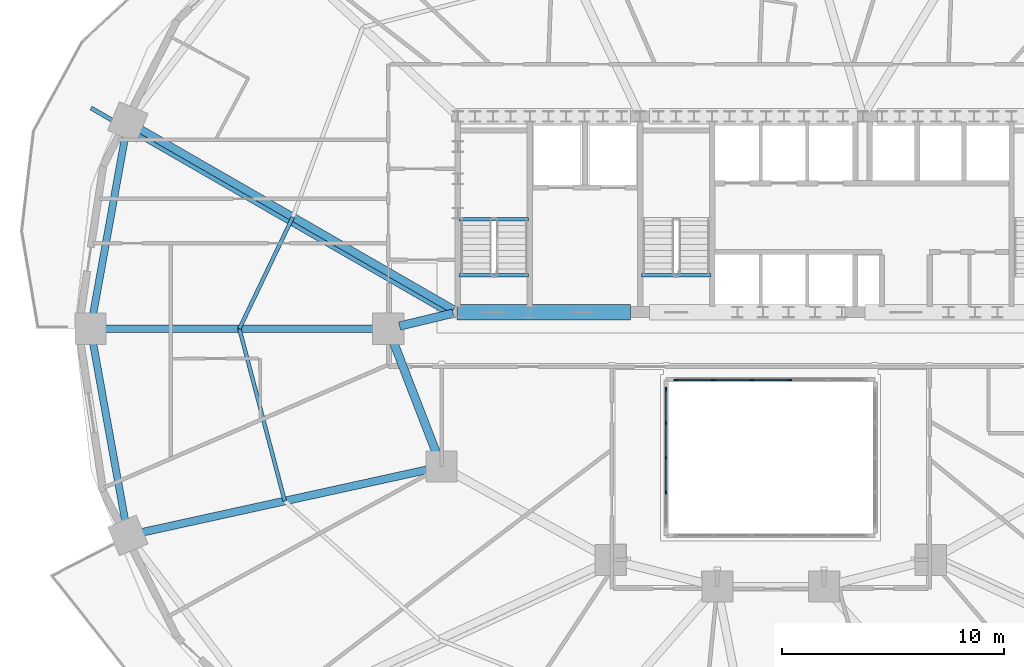
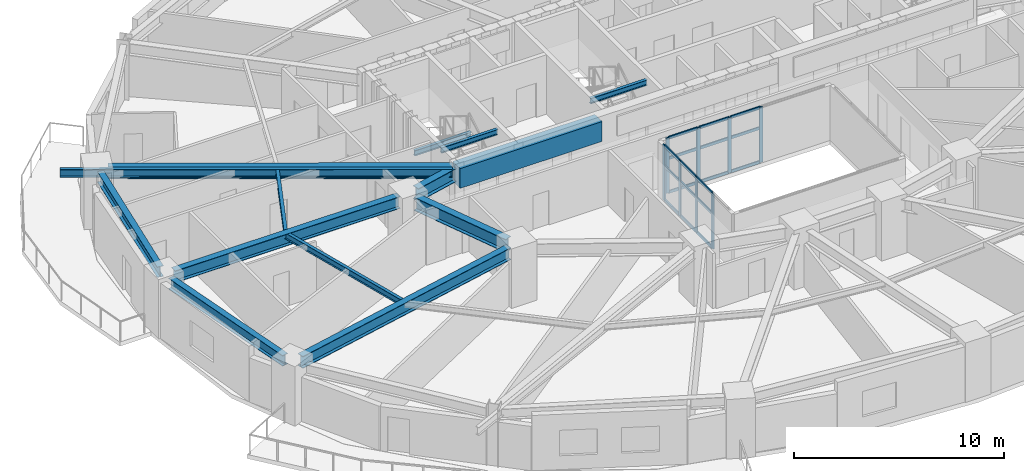
# One storey, part 4 of 17: 26 members, 14 beams, 2 elements without a shape of their own.
"""IFC4 building model written with IfcOpenShell, lengths in metres."""

import ifcopenshell
import ifcopenshell.guid

model = None  # the IFC model being written
_history = None  # IfcOwnerHistory: only IFC2X3 demands one
_inside = {}  # id of a spatial element -> (the spatial element, [elements in it])
_under = {}  # id of a project, library or spatial element -> (it, [spatial elements below it])
_declared = {}  # id of a project -> (the project, [libraries it declares])
_typed = {}  # id of a type object -> (the type object, [elements of that type])
_made_of = {}  # id of a material, layer set ... -> (it, [elements and type objects made of it])


def new_model(schema):
    """Start an empty IFC model of exactly this schema.

    Asked for "IFC4X3", IfcOpenShell would pick the latest addendum, in which some entities
    have other attributes; the version numbers below select the first issue.
    IFC2X3 requires an IfcOwnerHistory on every rooted entity: one is made here for all.
    """
    global model, _history
    if schema == "IFC4X3":
        model = ifcopenshell.file(schema_version=(4, 3, 0, 0))
    else:
        model = ifcopenshell.file(schema=schema)
    _inside.clear()
    _under.clear()
    _declared.clear()
    _typed.clear()
    _made_of.clear()
    _history = None
    if model.schema == "IFC2X3":
        org = make("IfcOrganization", Name="unknown")
        user = make(
            "IfcPersonAndOrganization",
            ThePerson=make("IfcPerson", FamilyName="unknown"),
            TheOrganization=org,
        )
        app = make(
            "IfcApplication",
            ApplicationDeveloper=org,
            Version="unknown",
            ApplicationFullName="unknown",
            ApplicationIdentifier="unknown",
        )
        _history = make(
            "IfcOwnerHistory",
            OwningUser=user,
            OwningApplication=app,
            ChangeAction="ADDED",
            CreationDate=0,
        )
    return model


def make(cls, **values):
    """One entity of the class cls with the attributes given. An attribute that is None is left unset."""
    return model.create_entity(
        cls, **{name: value for name, value in values.items() if value is not None}
    )


def rooted(cls, **values):
    """An entity with a GlobalId (a new one), such as an element, a storey or a relation."""
    return make(cls, GlobalId=ifcopenshell.guid.new(), OwnerHistory=_history, **values)


def si_unit(unit_type, name, prefix=None):
    """IfcSIUnit, for example si_unit("LENGTHUNIT", "METRE", prefix="MILLI")."""
    return make("IfcSIUnit", UnitType=unit_type, Prefix=prefix, Name=name)


def assignment(units):
    """IfcUnitAssignment: the units of a project."""
    return None if units is None else make("IfcUnitAssignment", Units=units)


def point(xyz):
    """IfcCartesianPoint."""
    return None if xyz is None else make("IfcCartesianPoint", Coordinates=xyz)


def direction(xyz):
    """IfcDirection."""
    return None if xyz is None else make("IfcDirection", DirectionRatios=xyz)


def frame(location, z_axis=None, x_axis=None):
    """IfcAxis2Placement3D, a coordinate frame: its origin and axes. An axis left out is left unset."""
    return make(
        "IfcAxis2Placement3D",
        Location=point(location),
        Axis=direction(z_axis),
        RefDirection=direction(x_axis),
    )


def frame_2d(location, x_axis=None):
    """IfcAxis2Placement2D, a coordinate frame in the plane: its origin and x axis."""
    return make(
        "IfcAxis2Placement2D", Location=point(location), RefDirection=direction(x_axis)
    )


def origin():
    """The frame at (0, 0, 0) with its axes left unset."""
    return frame((0.0, 0.0, 0.0))


def origin_2d():
    """The frame at (0, 0) in the plane with its x axis left unset."""
    return frame_2d((0.0, 0.0))


def place(relative_to, where):
    """IfcLocalPlacement: puts the frame where relative to a parent placement (None: the world)."""
    return make(
        "IfcLocalPlacement", PlacementRelTo=relative_to, RelativePlacement=where
    )


def context(
    kind, dimensions, precision=None, world=None, true_north=None, identifier=None
):
    """IfcGeometricRepresentationContext, for example the 3D "Model" context."""
    return make(
        "IfcGeometricRepresentationContext",
        ContextIdentifier=identifier,
        ContextType=kind,
        CoordinateSpaceDimension=dimensions,
        Precision=precision,
        WorldCoordinateSystem=world,
        TrueNorth=true_north,
    )


def subcontext(parent, identifier, kind, view, scale=None):
    """IfcGeometricRepresentationSubContext, for example "Body" below "Model"."""
    return make(
        "IfcGeometricRepresentationSubContext",
        ContextIdentifier=identifier,
        ContextType=kind,
        ParentContext=parent,
        TargetScale=scale,
        TargetView=view,
    )


def project(units=None, contexts=None):
    """IfcProject with its units and contexts."""
    return rooted(
        "IfcProject",
        Name="project",
        RepresentationContexts=contexts,
        UnitsInContext=assignment(units),
    )


def spatial(cls, under=None, at=None, **own):
    """A site, building, storey or space (cls), placed at a placement, below another one or the project."""
    s = rooted(cls, ObjectPlacement=at, **own)
    if under is not None:
        _under.setdefault(under.id(), (under, []))[1].append(s)
    return s


def profile(cls, at=None, kind="AREA", **sizes):
    """A parametric profile (cls). Its sizes go by their IFC names, for example OverallWidth=200.0."""
    return make(cls, ProfileType=kind, Position=at, **sizes)


def rectangle(**sizes):
    """IfcRectangleProfileDef."""
    return profile("IfcRectangleProfileDef", **sizes)


def i_section(**sizes):
    """IfcIShapeProfileDef."""
    return profile("IfcIShapeProfileDef", **sizes)


def extrude(swept, where, along, depth):
    """IfcExtrudedAreaSolid: the profile swept, set in the frame where, extruded along a direction by depth."""
    return make(
        "IfcExtrudedAreaSolid",
        SweptArea=swept,
        Position=where,
        ExtrudedDirection=direction(along),
        Depth=depth,
    )


def shape(context_of_items, identifier, shape_type, items):
    """IfcShapeRepresentation: the items that make up one representation, for example the "Body"."""
    return make(
        "IfcShapeRepresentation",
        ContextOfItems=context_of_items,
        RepresentationIdentifier=identifier,
        RepresentationType=shape_type,
        Items=items,
    )


def material(Name=None, Category=None):
    """IfcMaterial."""
    return make("IfcMaterial", Name=Name, Category=Category)


def material_profile(
    of_material, cross_section, Name=None, Category=None, Priority=None
):
    """IfcMaterialProfile: a cross section and its material."""
    return make(
        "IfcMaterialProfile",
        Name=Name,
        Material=of_material,
        Profile=cross_section,
        Priority=Priority,
        Category=Category,
    )


def profile_set(profiles, Name=None, composite=None):
    """IfcMaterialProfileSet."""
    return make(
        "IfcMaterialProfileSet",
        Name=Name,
        MaterialProfiles=profiles,
        CompositeProfile=composite,
    )


def made_of(thing, what):
    """Note that an element or type object is made of a material, layer set ...; save() writes the relation."""
    if what is not None:
        _made_of.setdefault(what.id(), (what, []))[1].append(thing)
    return thing


def type_object(cls, material=None, **own):
    """A type object (cls), such as IfcWallType, which elements share."""
    return made_of(rooted(cls, **own), material)


def element(
    cls,
    number,
    at=None,
    inside=None,
    cuts=None,
    type_object=None,
    material=None,
    context=None,
    identifier="Body",
    shape_type=None,
    held_by="IfcProductDefinitionShape",
    body=None,
    shapes=None,
    **own,
):
    """One element of the class cls, such as IfcWall. Its Tag is "e" and its number.

    at: its placement. inside: the storey or other place that contains it. cuts: it is an
    opening in that element (IfcRelVoidsElement). A single representation is given by context,
    identifier, shape_type and body (its items); several are given by shapes. held_by: the class
    of the entity that holds the representations. save() writes the other relations.
    """
    e = rooted(cls, Tag="e%d" % number, ObjectPlacement=at, **own)
    if body is not None:
        shapes = [shape(context, identifier, shape_type, body)]
    if shapes is not None:
        e.Representation = make(held_by, Representations=shapes)
    if inside is not None:
        _inside.setdefault(inside.id(), (inside, []))[1].append(e)
    if cuts is not None:
        rooted(
            "IfcRelVoidsElement", RelatingBuildingElement=cuts, RelatedOpeningElement=e
        )
    if type_object is not None:
        _typed.setdefault(type_object.id(), (type_object, []))[1].append(e)
    return made_of(e, material)


def aggregate(whole, parts):
    """IfcRelAggregates: a whole, such as a stair, and the parts it consists of."""
    return rooted("IfcRelAggregates", RelatingObject=whole, RelatedObjects=parts)


def save(model, path):
    """Write the relations noted so far, then the file.

    IfcRelAggregates (storeys below a building ...), IfcRelContainedInSpatialStructure (elements
    in a storey), IfcRelDefinesByType, IfcRelAssociatesMaterial and IfcRelDeclares: one each for
    every whole, place, type object, material and project.
    """
    for whole, parts in _under.values():
        aggregate(whole, parts)
    for where, things in _inside.values():
        rooted(
            "IfcRelContainedInSpatialStructure",
            RelatedElements=things,
            RelatingStructure=where,
        )
    for kind, things in _typed.values():
        rooted("IfcRelDefinesByType", RelatedObjects=things, RelatingType=kind)
    for what, things in _made_of.values():
        rooted("IfcRelAssociatesMaterial", RelatedObjects=things, RelatingMaterial=what)
    for by, libraries in _declared.values():
        rooted("IfcRelDeclares", RelatingContext=by, RelatedDefinitions=libraries)
    model.write(path)


model = new_model("IFC4")

# Units and contexts
model_context = context("Model", 3, precision=1e-05, world=origin(), true_north=direction((0.0, 1.0)))
body_context = subcontext(model_context, "Body", "Model", "MODEL_VIEW")
ifc_project = project(units=[si_unit("LENGTHUNIT", "METRE"), si_unit("AREAUNIT", "SQUARE_METRE"), si_unit("VOLUMEUNIT", "CUBIC_METRE"), si_unit("PLANEANGLEUNIT", "RADIAN"), si_unit("MASSUNIT", "GRAM", prefix="KILO")], contexts=[model_context])

# Site, building, storey
site_placement = place(None, origin())
site = spatial("IfcSite", under=ifc_project, at=site_placement, CompositionType="ELEMENT")
building_placement = place(site_placement, origin())
building = spatial("IfcBuilding", under=site, at=building_placement, Name="Haldorwick Loom Tower", CompositionType="ELEMENT")
storey_placement = place(building_placement, frame((0.0, 0.0, 44.699951171875)))
storey = spatial("IfcBuildingStorey", under=building, at=storey_placement, Name="L11", CompositionType="ELEMENT", Elevation=44.699951171875)

# Curtain wall, members
ifc_material_1 = material(Name="Thermally Broken Anodized Aluminium Curtain Wall Framing", Category="aluminium")
curtain_wall_type = type_object("IfcCurtainWallType", Name="ARC-CW-03", PredefinedType="NOTDEFINED", material=ifc_material_1)
curtain_wall_1_placement = place(storey_placement, origin())
curtain_wall_1 = element("IfcCurtainWall", 1, at=curtain_wall_1_placement, inside=storey, type_object=curtain_wall_type, Name="L11 Atrium Glazed Screen N", PredefinedType="NOTDEFINED")
ifc_material_profile_1 = material_profile(ifc_material_1, rectangle(XDim=0.06591796875, YDim=0.18505859375, at=origin_2d()), Name="ALU_MUL_66X185", Category="aluminium")
ifc_profile_set_1 = profile_set([ifc_material_profile_1], Name="Thermally Broken Anodized Aluminium Curtain Wall Framing")
member_type_1 = type_object("IfcMemberType", Name="ARC-CWM-03", PredefinedType="MULLION", material=ifc_profile_set_1)
member_1_placement = place(storey_placement, frame((31.73291015625, 23.699951171875, 0.0), z_axis=(0.0, 0.0, 1.0), x_axis=(0.0, 1.0, 0.0)))
member_1 = element("IfcMember", 2, at=member_1_placement, type_object=member_type_1, Name="CW-03 mullion 1", PredefinedType="MULLION", context=body_context, shape_type="SweptSolid", body=[
    extrude(rectangle(XDim=0.06591796875, YDim=0.18505859375, at=origin_2d()), origin(), (0.0, 0.0, 1.0), 3.2099609375),
])
member_2_placement = place(storey_placement, frame((33.419921875, 23.699951171875, 0.0), z_axis=(0.0, 0.0, 1.0), x_axis=(0.0, 1.0, 0.0)))
member_2 = element("IfcMember", 3, at=member_2_placement, type_object=member_type_1, Name="CW-03 mullion 2", PredefinedType="MULLION", context=body_context, shape_type="SweptSolid", body=[
    extrude(rectangle(XDim=0.06591796875, YDim=0.18505859375, at=origin_2d()), origin(), (0.0, 0.0, 1.0), 3.2099609375),
])
member_3_placement = place(storey_placement, frame((35.139892578125, 23.699951171875, 0.0), z_axis=(0.0, 0.0, 1.0), x_axis=(0.0, 1.0, 0.0)))
member_3 = element("IfcMember", 4, at=member_3_placement, type_object=member_type_1, Name="CW-03 mullion 3", PredefinedType="MULLION", context=body_context, shape_type="SweptSolid", body=[
    extrude(rectangle(XDim=0.06591796875, YDim=0.18505859375, at=origin_2d()), origin(), (0.0, 0.0, 1.0), 3.2099609375),
])
member_4_placement = place(storey_placement, frame((36.860107421875, 23.699951171875, 0.0), z_axis=(0.0, 0.0, 1.0), x_axis=(0.0, 1.0, 0.0)))
member_4 = element("IfcMember", 5, at=member_4_placement, type_object=member_type_1, Name="CW-03 mullion 4", PredefinedType="MULLION", context=body_context, shape_type="SweptSolid", body=[
    extrude(rectangle(XDim=0.06591796875, YDim=0.18505859375, at=origin_2d()), origin(), (0.0, 0.0, 1.0), 3.2099609375),
])

curtain_wall_2_placement = place(storey_placement, origin())
curtain_wall_2 = element("IfcCurtainWall", 6, at=curtain_wall_2_placement, inside=storey, type_object=curtain_wall_type, Name="L11 Atrium Glazed Screen W", PredefinedType="NOTDEFINED")
member_5_placement = place(storey_placement, frame((31.300048828125, 18.64990234375, 0.0), z_axis=(0.0, 0.0, 1.0), x_axis=(-1.0, 0.0, 0.0)))
member_5 = element("IfcMember", 7, at=member_5_placement, type_object=member_type_1, Name="CW-03 mullion 2", PredefinedType="MULLION", context=body_context, shape_type="SweptSolid", body=[
    extrude(rectangle(XDim=0.06591796875, YDim=0.18505859375, at=origin_2d()), origin(), (0.0, 0.0, 1.0), 3.2099609375),
])
member_6_placement = place(storey_placement, frame((31.300048828125, 20.199951171875, 0.0), z_axis=(0.0, 0.0, 1.0), x_axis=(-1.0, 0.0, 0.0)))
member_6 = element("IfcMember", 8, at=member_6_placement, type_object=member_type_1, Name="CW-03 mullion 3", PredefinedType="MULLION", context=body_context, shape_type="SweptSolid", body=[
    extrude(rectangle(XDim=0.06591796875, YDim=0.18505859375, at=origin_2d()), origin(), (0.0, 0.0, 1.0), 3.2099609375),
])
member_7_placement = place(storey_placement, frame((31.300048828125, 21.75, 0.0), z_axis=(0.0, 0.0, 1.0), x_axis=(-1.0, 0.0, 0.0)))
member_7 = element("IfcMember", 9, at=member_7_placement, type_object=member_type_1, Name="CW-03 mullion 4", PredefinedType="MULLION", context=body_context, shape_type="SweptSolid", body=[
    extrude(rectangle(XDim=0.06591796875, YDim=0.18505859375, at=origin_2d()), origin(), (0.0, 0.0, 1.0), 3.2099609375),
])
member_8_placement = place(storey_placement, frame((31.300048828125, 23.26708984375, 0.0), z_axis=(0.0, 0.0, 1.0), x_axis=(-1.0, 0.0, 0.0)))
member_8 = element("IfcMember", 10, at=member_8_placement, type_object=member_type_1, Name="CW-03 mullion 5", PredefinedType="MULLION", context=body_context, shape_type="SweptSolid", body=[
    extrude(rectangle(XDim=0.06591796875, YDim=0.18505859375, at=origin_2d()), origin(), (0.0, 0.0, 1.0), 3.2099609375),
])

# Member
ifc_material_profile_2 = material_profile(ifc_material_1, rectangle(XDim=0.06591796875, YDim=0.1650390625, at=origin_2d()), Name="ALU_TRN_66X165", Category="aluminium")
ifc_profile_set_2 = profile_set([ifc_material_profile_2], Name="Thermally Broken Anodized Aluminium Curtain Wall Framing")
member_type_2 = type_object("IfcMemberType", Name="ARC-CWT-03", PredefinedType="USERDEFINED", material=ifc_profile_set_2)
member_9_placement = place(storey_placement, frame((31.76611328125, 23.699951171875, 0.032958984375), z_axis=(1.0, 0.0, 0.0), x_axis=(0.0, 1.0, 0.0)))
member_9 = element("IfcMember", 11, at=member_9_placement, type_object=member_type_2, Name="CW-03 transom 1.1", ObjectType="TRANSOM", PredefinedType="USERDEFINED", context=body_context, shape_type="SweptSolid", body=[
    extrude(rectangle(XDim=0.06591796875, YDim=0.1650390625, at=origin_2d()), origin(), (0.0, 0.0, 1.0), 1.620849609375),
])

member_10_placement = place(storey_placement, frame((31.76611328125, 23.699951171875, 2.0), z_axis=(1.0, 0.0, 0.0), x_axis=(0.0, 1.0, 0.0)))
member_10 = element("IfcMember", 12, at=member_10_placement, type_object=member_type_2, Name="CW-03 transom 1.2", ObjectType="TRANSOM", PredefinedType="USERDEFINED", context=body_context, shape_type="SweptSolid", body=[
    extrude(rectangle(XDim=0.06591796875, YDim=0.1650390625, at=origin_2d()), origin(), (0.0, 0.0, 1.0), 1.620849609375),
])

member_11_placement = place(storey_placement, frame((31.76611328125, 23.699951171875, 3.177001953125), z_axis=(1.0, 0.0, 0.0), x_axis=(0.0, 1.0, 0.0)))
member_11 = element("IfcMember", 13, at=member_11_placement, type_object=member_type_2, Name="CW-03 transom 1.3", ObjectType="TRANSOM", PredefinedType="USERDEFINED", context=body_context, shape_type="SweptSolid", body=[
    extrude(rectangle(XDim=0.06591796875, YDim=0.1650390625, at=origin_2d()), origin(), (0.0, 0.0, 1.0), 1.620849609375),
])

member_12_placement = place(storey_placement, frame((33.452880859375, 23.699951171875, 0.032958984375), z_axis=(1.0, 0.0, 0.0), x_axis=(0.0, 1.0, 0.0)))
member_12 = element("IfcMember", 14, at=member_12_placement, type_object=member_type_2, Name="CW-03 transom 2.1", ObjectType="TRANSOM", PredefinedType="USERDEFINED", context=body_context, shape_type="SweptSolid", body=[
    extrude(rectangle(XDim=0.06591796875, YDim=0.1650390625, at=origin_2d()), origin(), (0.0, 0.0, 1.0), 1.654052734375),
])

member_13_placement = place(storey_placement, frame((33.452880859375, 23.699951171875, 2.0), z_axis=(1.0, 0.0, 0.0), x_axis=(0.0, 1.0, 0.0)))
member_13 = element("IfcMember", 15, at=member_13_placement, type_object=member_type_2, Name="CW-03 transom 2.2", ObjectType="TRANSOM", PredefinedType="USERDEFINED", context=body_context, shape_type="SweptSolid", body=[
    extrude(rectangle(XDim=0.06591796875, YDim=0.1650390625, at=origin_2d()), origin(), (0.0, 0.0, 1.0), 1.654052734375),
])

member_14_placement = place(storey_placement, frame((33.452880859375, 23.699951171875, 3.177001953125), z_axis=(1.0, 0.0, 0.0), x_axis=(0.0, 1.0, 0.0)))
member_14 = element("IfcMember", 16, at=member_14_placement, type_object=member_type_2, Name="CW-03 transom 2.3", ObjectType="TRANSOM", PredefinedType="USERDEFINED", context=body_context, shape_type="SweptSolid", body=[
    extrude(rectangle(XDim=0.06591796875, YDim=0.1650390625, at=origin_2d()), origin(), (0.0, 0.0, 1.0), 1.654052734375),
])

member_15_placement = place(storey_placement, frame((35.173095703125, 23.699951171875, 0.032958984375), z_axis=(1.0, 0.0, 0.0), x_axis=(0.0, 1.0, 0.0)))
member_15 = element("IfcMember", 17, at=member_15_placement, type_object=member_type_2, Name="CW-03 transom 3.1", ObjectType="TRANSOM", PredefinedType="USERDEFINED", context=body_context, shape_type="SweptSolid", body=[
    extrude(rectangle(XDim=0.06591796875, YDim=0.1650390625, at=origin_2d()), origin(), (0.0, 0.0, 1.0), 1.65380859375),
])

member_16_placement = place(storey_placement, frame((35.173095703125, 23.699951171875, 2.0), z_axis=(1.0, 0.0, 0.0), x_axis=(0.0, 1.0, 0.0)))
member_16 = element("IfcMember", 18, at=member_16_placement, type_object=member_type_2, Name="CW-03 transom 3.2", ObjectType="TRANSOM", PredefinedType="USERDEFINED", context=body_context, shape_type="SweptSolid", body=[
    extrude(rectangle(XDim=0.06591796875, YDim=0.1650390625, at=origin_2d()), origin(), (0.0, 0.0, 1.0), 1.65380859375),
])

member_17_placement = place(storey_placement, frame((35.173095703125, 23.699951171875, 3.177001953125), z_axis=(1.0, 0.0, 0.0), x_axis=(0.0, 1.0, 0.0)))
member_17 = element("IfcMember", 19, at=member_17_placement, type_object=member_type_2, Name="CW-03 transom 3.3", ObjectType="TRANSOM", PredefinedType="USERDEFINED", context=body_context, shape_type="SweptSolid", body=[
    extrude(rectangle(XDim=0.06591796875, YDim=0.1650390625, at=origin_2d()), origin(), (0.0, 0.0, 1.0), 1.65380859375),
])

aggregate(curtain_wall_1, [member_1, member_2, member_3, member_4, member_9, member_10, member_11, member_12, member_13, member_14, member_15, member_16, member_17])

member_18_placement = place(storey_placement, frame((31.300048828125, 18.68310546875, 0.032958984375), z_axis=(0.0, 1.0, 0.0), x_axis=(-1.0, 0.0, 0.0)))
member_18 = element("IfcMember", 20, at=member_18_placement, type_object=member_type_2, Name="CW-03 transom 2.1", ObjectType="TRANSOM", PredefinedType="USERDEFINED", context=body_context, shape_type="SweptSolid", body=[
    extrude(rectangle(XDim=0.06591796875, YDim=0.1650390625, at=origin_2d()), origin(), (0.0, 0.0, 1.0), 1.48388671875),
])

member_19_placement = place(storey_placement, frame((31.300048828125, 18.68310546875, 2.0), z_axis=(0.0, 1.0, 0.0), x_axis=(-1.0, 0.0, 0.0)))
member_19 = element("IfcMember", 21, at=member_19_placement, type_object=member_type_2, Name="CW-03 transom 2.2", ObjectType="TRANSOM", PredefinedType="USERDEFINED", context=body_context, shape_type="SweptSolid", body=[
    extrude(rectangle(XDim=0.06591796875, YDim=0.1650390625, at=origin_2d()), origin(), (0.0, 0.0, 1.0), 1.48388671875),
])

member_20_placement = place(storey_placement, frame((31.300048828125, 18.68310546875, 3.177001953125), z_axis=(0.0, 1.0, 0.0), x_axis=(-1.0, 0.0, 0.0)))
member_20 = element("IfcMember", 22, at=member_20_placement, type_object=member_type_2, Name="CW-03 transom 2.3", ObjectType="TRANSOM", PredefinedType="USERDEFINED", context=body_context, shape_type="SweptSolid", body=[
    extrude(rectangle(XDim=0.06591796875, YDim=0.1650390625, at=origin_2d()), origin(), (0.0, 0.0, 1.0), 1.48388671875),
])

member_21_placement = place(storey_placement, frame((31.300048828125, 20.23291015625, 0.032958984375), z_axis=(0.0, 1.0, 0.0), x_axis=(-1.0, 0.0, 0.0)))
member_21 = element("IfcMember", 23, at=member_21_placement, type_object=member_type_2, Name="CW-03 transom 3.1", ObjectType="TRANSOM", PredefinedType="USERDEFINED", context=body_context, shape_type="SweptSolid", body=[
    extrude(rectangle(XDim=0.06591796875, YDim=0.1650390625, at=origin_2d()), origin(), (0.0, 0.0, 1.0), 1.484130859375),
])

member_22_placement = place(storey_placement, frame((31.300048828125, 20.23291015625, 2.0), z_axis=(0.0, 1.0, 0.0), x_axis=(-1.0, 0.0, 0.0)))
member_22 = element("IfcMember", 24, at=member_22_placement, type_object=member_type_2, Name="CW-03 transom 3.2", ObjectType="TRANSOM", PredefinedType="USERDEFINED", context=body_context, shape_type="SweptSolid", body=[
    extrude(rectangle(XDim=0.06591796875, YDim=0.1650390625, at=origin_2d()), origin(), (0.0, 0.0, 1.0), 1.484130859375),
])

member_23_placement = place(storey_placement, frame((31.300048828125, 20.23291015625, 3.177001953125), z_axis=(0.0, 1.0, 0.0), x_axis=(-1.0, 0.0, 0.0)))
member_23 = element("IfcMember", 25, at=member_23_placement, type_object=member_type_2, Name="CW-03 transom 3.3", ObjectType="TRANSOM", PredefinedType="USERDEFINED", context=body_context, shape_type="SweptSolid", body=[
    extrude(rectangle(XDim=0.06591796875, YDim=0.1650390625, at=origin_2d()), origin(), (0.0, 0.0, 1.0), 1.484130859375),
])

member_24_placement = place(storey_placement, frame((31.300048828125, 21.782958984375, 0.032958984375), z_axis=(0.0, 1.0, 0.0), x_axis=(-1.0, 0.0, 0.0)))
member_24 = element("IfcMember", 26, at=member_24_placement, type_object=member_type_2, Name="CW-03 transom 4.1", ObjectType="TRANSOM", PredefinedType="USERDEFINED", context=body_context, shape_type="SweptSolid", body=[
    extrude(rectangle(XDim=0.06591796875, YDim=0.1650390625, at=origin_2d()), origin(), (0.0, 0.0, 1.0), 1.450927734375),
])

member_25_placement = place(storey_placement, frame((31.300048828125, 21.782958984375, 2.0), z_axis=(0.0, 1.0, 0.0), x_axis=(-1.0, 0.0, 0.0)))
member_25 = element("IfcMember", 27, at=member_25_placement, type_object=member_type_2, Name="CW-03 transom 4.2", ObjectType="TRANSOM", PredefinedType="USERDEFINED", context=body_context, shape_type="SweptSolid", body=[
    extrude(rectangle(XDim=0.06591796875, YDim=0.1650390625, at=origin_2d()), origin(), (0.0, 0.0, 1.0), 1.450927734375),
])

member_26_placement = place(storey_placement, frame((31.300048828125, 21.782958984375, 3.177001953125), z_axis=(0.0, 1.0, 0.0), x_axis=(-1.0, 0.0, 0.0)))
member_26 = element("IfcMember", 28, at=member_26_placement, type_object=member_type_2, Name="CW-03 transom 4.3", ObjectType="TRANSOM", PredefinedType="USERDEFINED", context=body_context, shape_type="SweptSolid", body=[
    extrude(rectangle(XDim=0.06591796875, YDim=0.1650390625, at=origin_2d()), origin(), (0.0, 0.0, 1.0), 1.450927734375),
])

aggregate(curtain_wall_2, [member_5, member_6, member_7, member_8, member_18, member_19, member_20, member_21, member_22, member_23, member_24, member_25, member_26])

# Beams
ifc_material_2 = material(Name="Steel CSA G40.21 350W", Category="steel")
ifc_material_profile_3 = material_profile(ifc_material_2, i_section(OverallWidth=0.193115234375, OverallDepth=0.466064453125, WebThickness=0.011474609375, FlangeThickness=0.01904296875, at=origin_2d()), Name="W460X97", Category="steel")
ifc_profile_set_3 = profile_set([ifc_material_profile_3], Name="Steel CSA G40.21 350W")
beam_type_1 = type_object("IfcBeamType", Name="STR-BM-BAL460", PredefinedType="BEAM", material=ifc_profile_set_3)
beam_1_placement = place(storey_placement, frame((21.59521484375, 26.61962890625, 2.97705078125), z_axis=(-0.866607024941, 0.49899124674, 0.0), x_axis=(-0.49899124674, -0.866607024941, 0.0)))
element("IfcBeam", 29, at=beam_1_placement, inside=storey, type_object=beam_type_1, Name="L11 Continuous Back-Spanned Balcony Beam 3", PredefinedType="BEAM", context=body_context, shape_type="SweptSolid", body=[
    extrude(i_section(OverallWidth=0.193115234375, OverallDepth=0.466064453125, WebThickness=0.011474609375, FlangeThickness=0.01904296875, at=origin_2d()), origin(), (0.0, 0.0, 1.0), 18.65771484375),
])
ifc_material_3 = material(Name="Concrete C60 (60 MPa)", Category="concrete")
ifc_material_profile_4 = material_profile(ifc_material_3, rectangle(XDim=0.699951171875, YDim=1.14990234375, at=origin_2d()), Name="RC700X1150", Category="concrete")
ifc_profile_set_4 = profile_set([ifc_material_profile_4], Name="Concrete C60 (60 MPa)")
beam_type_2 = type_object("IfcBeamType", Name="STR-BM-CB1150", PredefinedType="LINTEL", material=ifc_profile_set_4)
beam_2_placement = place(storey_placement, frame((21.89990234375, 26.75, 2.635009765625), z_axis=(1.0, 0.0, 0.0), x_axis=(0.0, 1.0, 0.0)))
element("IfcBeam", 30, at=beam_2_placement, inside=storey, type_object=beam_type_2, Name="L11 Core Coupling Beam CB-S1", PredefinedType="LINTEL", context=body_context, shape_type="SweptSolid", body=[
    extrude(rectangle(XDim=0.699951171875, YDim=1.14990234375, at=origin_2d()), origin(), (0.0, 0.0, 1.0), 7.800048828125),
])
ifc_material_profile_5 = material_profile(ifc_material_2, i_section(OverallWidth=0.172119140625, OverallDepth=0.35791015625, WebThickness=0.0078125, FlangeThickness=0.01318359375, at=origin_2d()), Name="W360X57", Category="steel")
ifc_profile_set_5 = profile_set([ifc_material_profile_5], Name="Steel CSA G40.21 350W")
beam_type_3 = type_object("IfcBeamType", Name="STR-BM-J360", PredefinedType="JOIST", material=ifc_profile_set_5)
beam_3_placement = place(storey_placement, frame((14.50634765625, 31.024658203125, 3.031005859375), z_axis=(-0.431630738849, -0.902050389546, 0.0), x_axis=(0.902050389546, -0.431630738849, 0.0)))
element("IfcBeam", 31, at=beam_3_placement, inside=storey, type_object=beam_type_3, Name="L11 Mid-Bay Secondary Joist 8", PredefinedType="JOIST", context=body_context, shape_type="SweptSolid", body=[
    extrude(i_section(OverallWidth=0.172119140625, OverallDepth=0.35791015625, WebThickness=0.0078125, FlangeThickness=0.01318359375, at=origin_2d()), origin(), (0.0, 0.0, 1.0), 5.5703125),
])
beam_4_placement = place(storey_placement, frame((12.10205078125, 26.0, 3.031005859375), z_axis=(0.2544888003, -0.967075721193, 0.0), x_axis=(0.967075721193, 0.2544888003, 0.0)))
element("IfcBeam", 32, at=beam_4_placement, inside=storey, type_object=beam_type_3, Name="L11 Mid-Bay Secondary Joist 9", PredefinedType="JOIST", context=body_context, shape_type="SweptSolid", body=[
    extrude(i_section(OverallWidth=0.172119140625, OverallDepth=0.35791015625, WebThickness=0.0078125, FlangeThickness=0.01318359375, at=origin_2d()), origin(), (0.0, 0.0, 1.0), 8.013427734375),
])
ifc_material_profile_6 = material_profile(ifc_material_2, i_section(OverallWidth=0.324951171875, OverallDepth=0.615966796875, WebThickness=0.013916015625, FlangeThickness=0.021484375, at=origin_2d()), Name="W610X174", Category="steel")
ifc_profile_set_6 = profile_set([ifc_material_profile_6], Name="Steel CSA G40.21 350W")
beam_type_4 = type_object("IfcBeamType", Name="STR-BM-SP610", PredefinedType="SPANDREL", material=ifc_profile_set_6)
for number, where, z_axis, x_axis, name in (
    (33, (6.990234375, 34.78759765625, 2.902099609375), (-0.177641139482, -0.984095333575, 0.0), (0.984095333575, -0.177641139482, 0.0), "L11 Perimeter Spandrel 8"),
    (34, (5.496337890625, 25.48828125, 2.902099609375), (0.177641139482, -0.984095333575, 0.0), (0.984095333575, 0.177641139482, 0.0), "L11 Perimeter Spandrel 9"),
):
    element("IfcBeam", number, at=place(storey_placement, frame(where, z_axis=z_axis, x_axis=x_axis)), inside=storey, type_object=beam_type_4, Name=name, PredefinedType="SPANDREL", context=body_context, shape_type="SweptSolid", body=[
        extrude(i_section(OverallWidth=0.324951171875, OverallDepth=0.615966796875, WebThickness=0.013916015625, FlangeThickness=0.021484375, at=origin_2d()), origin(), (0.0, 0.0, 1.0), 8.40966796875),
    ])
ifc_material_profile_7 = material_profile(ifc_material_2, i_section(OverallWidth=0.166015625, OverallDepth=0.31298828125, WebThickness=0.006591796875, FlangeThickness=0.01123046875, at=origin_2d()), Name="W310X45", Category="steel")
ifc_profile_set_7 = profile_set([ifc_material_profile_7], Name="Steel CSA G40.21 350W")
beam_type_5 = type_object("IfcBeamType", Name="STR-BM-STRM", PredefinedType="BEAM", material=ifc_profile_set_7)
for number, where, z_axis, x_axis, name in (
    (35, (21.989990234375, 28.39990234375, 3.053466796875), (1.0, 0.0, 0.0), (0.0, 1.0, 0.0), "L11 Stair ST-01 Landing Edge Trimmer"),
    (36, (21.989990234375, 30.919921875, 1.36865234375), (1.0, 0.0, 0.0), (0.0, 1.0, 0.0), "L11 Stair ST-01 Half-Landing Trimmer 1"),
    (37, (30.18994140625, 28.39990234375, 3.053466796875), (1.0, 0.0, 0.0), (0.0, 1.0, 0.0), "L11 Stair ST-03 Landing Edge Trimmer"),
):
    element("IfcBeam", number, at=place(storey_placement, frame(where, z_axis=z_axis, x_axis=x_axis)), inside=storey, type_object=beam_type_5, Name=name, PredefinedType="BEAM", context=body_context, shape_type="SweptSolid", body=[
        extrude(i_section(OverallWidth=0.166015625, OverallDepth=0.31298828125, WebThickness=0.006591796875, FlangeThickness=0.01123046875, at=origin_2d()), origin(), (0.0, 0.0, 1.0), 3.1201171875),
    ])
ifc_material_profile_8 = material_profile(ifc_material_2, i_section(OverallWidth=0.35498046875, OverallDepth=0.695068359375, WebThickness=0.015380859375, FlangeThickness=0.02490234375, at=origin_2d()), Name="W690X217", Category="steel")
ifc_profile_set_8 = profile_set([ifc_material_profile_8], Name="Steel CSA G40.21 350W")
beam_type_6 = type_object("IfcBeamType", Name="STR-BM-W690", PredefinedType="BEAM", material=ifc_profile_set_8)
beam_5_placement = place(storey_placement, frame((21.735107421875, 26.8623046875, 2.862548828125), z_axis=(-0.86660566838, 0.498993602696, 0.0), x_axis=(-0.498993602696, -0.86660566838, 0.0)))
element("IfcBeam", 38, at=beam_5_placement, inside=storey, type_object=beam_type_6, Name="L11 Radial Floor Girder 8", PredefinedType="BEAM", context=body_context, shape_type="SweptSolid", body=[
    extrude(i_section(OverallWidth=0.35498046875, OverallDepth=0.695068359375, WebThickness=0.015380859375, FlangeThickness=0.02490234375, at=origin_2d()), origin(), (0.0, 0.0, 1.0), 16.387939453125),
])
beam_6_placement = place(storey_placement, frame((18.280029296875, 26.0, 2.862548828125), z_axis=(-1.0, 0.0, 0.0), x_axis=(0.0, -1.0, 0.0)))
element("IfcBeam", 39, at=beam_6_placement, inside=storey, type_object=beam_type_6, Name="L11 Radial Floor Girder 9", PredefinedType="BEAM", context=body_context, shape_type="SweptSolid", body=[
    extrude(i_section(OverallWidth=0.35498046875, OverallDepth=0.695068359375, WebThickness=0.015380859375, FlangeThickness=0.02490234375, at=origin_2d()), origin(), (0.0, 0.0, 1.0), 12.35595703125),
])
beam_7_placement = place(storey_placement, frame((20.692138671875, 19.6884765625, 2.862548828125), z_axis=(-0.976740159434, -0.214426353203, 0.0), x_axis=(0.214426353203, -0.976740159434, 0.0)))
element("IfcBeam", 40, at=beam_7_placement, inside=storey, type_object=beam_type_6, Name="L11 Radial Floor Girder 10", PredefinedType="BEAM", context=body_context, shape_type="SweptSolid", body=[
    extrude(i_section(OverallWidth=0.35498046875, OverallDepth=0.695068359375, WebThickness=0.015380859375, FlangeThickness=0.02490234375, at=origin_2d()), origin(), (0.0, 0.0, 1.0), 13.41357421875),
])
ifc_material_profile_9 = material_profile(ifc_material_2, i_section(OverallWidth=0.381103515625, OverallDepth=0.77294921875, WebThickness=0.0166015625, FlangeThickness=0.027587890625, at=origin_2d()), Name="W760X257", Category="steel")
ifc_profile_set_9 = profile_set([ifc_material_profile_9], Name="Steel CSA G40.21 350W")
beam_type_7 = type_object("IfcBeamType", Name="STR-BM-W760", PredefinedType="BEAM", material=ifc_profile_set_9)
beam_8_placement = place(storey_placement, frame((21.01220703125, 20.284912109375, 2.823486328125), z_axis=(-0.360964792353, 0.93257944363, 0.0), x_axis=(-0.93257944363, -0.360964792353, 0.0)))
element("IfcBeam", 41, at=beam_8_placement, inside=storey, type_object=beam_type_7, Name="L11 Inner Ring Girder 8", PredefinedType="BEAM", context=body_context, shape_type="SweptSolid", body=[
    extrude(i_section(OverallWidth=0.381103515625, OverallDepth=0.77294921875, WebThickness=0.0166015625, FlangeThickness=0.027587890625, at=origin_2d()), origin(), (0.0, 0.0, 1.0), 5.6083984375),
])
beam_9_placement = place(storey_placement, frame((19.3056640625, 26.12109375, 2.823486328125), z_axis=(0.97247055837, 0.233025777764, 0.0), x_axis=(-0.233025777764, 0.97247055837, 0.0)))
element("IfcBeam", 42, at=beam_9_placement, inside=storey, type_object=beam_type_7, Name="L11 Inner Ring Girder 9", PredefinedType="BEAM", context=body_context, shape_type="SweptSolid", body=[
    extrude(i_section(OverallWidth=0.381103515625, OverallDepth=0.77294921875, WebThickness=0.0166015625, FlangeThickness=0.027587890625, at=origin_2d()), origin(), (0.0, 0.0, 1.0), 2.4736328125),
])

save(model, "model.ifc")
